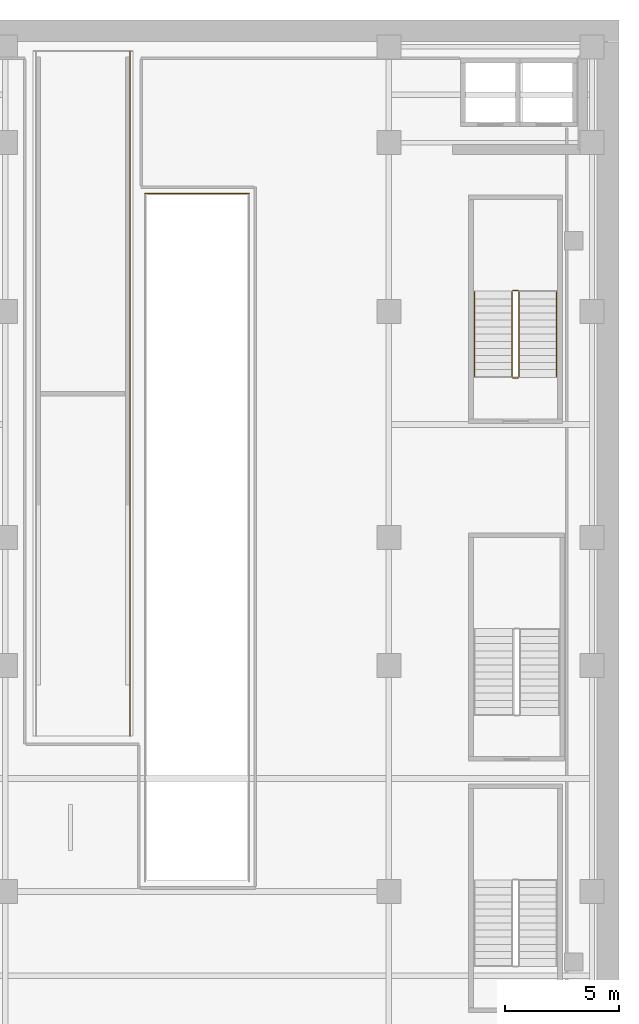
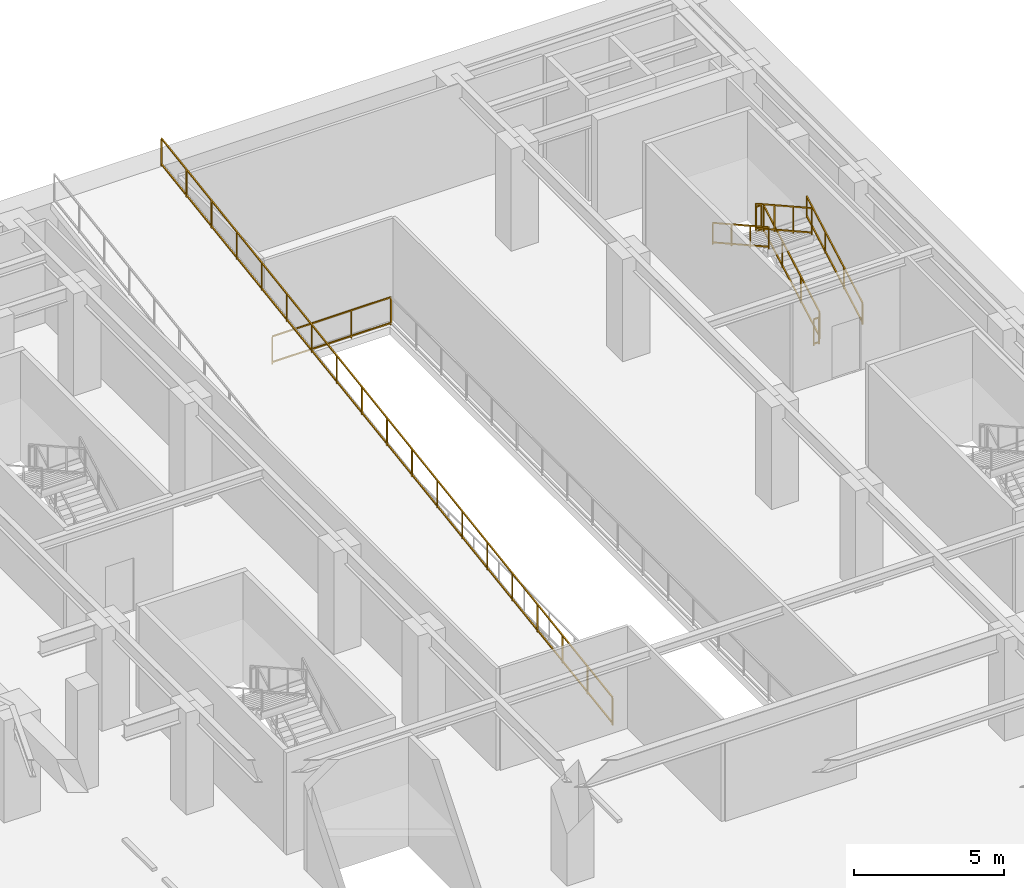
# One storey, part 16 of 16: 8 railings.
"""IFC4 building model written with IfcOpenShell, lengths in metres."""

from ifc_helpers import new_model, si_unit, direction, frame, origin, origin_2d, place, context, subcontext, project, spatial, rectangle, extrude, material, type_object, element, save


model = new_model("IFC4")

# Units and contexts
model_context = context("Model", 3, precision=1e-05, world=origin(), true_north=direction((0.0, 1.0)))
body_context = subcontext(model_context, "Body", "Model", "MODEL_VIEW")
ifc_project = project(units=[si_unit("LENGTHUNIT", "METRE"), si_unit("AREAUNIT", "SQUARE_METRE"), si_unit("VOLUMEUNIT", "CUBIC_METRE"), si_unit("PLANEANGLEUNIT", "RADIAN"), si_unit("MASSUNIT", "GRAM", prefix="KILO")], contexts=[model_context])

# Site, building, storey
site_placement = place(None, origin())
site = spatial("IfcSite", under=ifc_project, at=site_placement, CompositionType="ELEMENT")
building_placement = place(site_placement, origin())
building = spatial("IfcBuilding", under=site, at=building_placement, Name="Kolvaren Gate Tower and Convention Centre", CompositionType="ELEMENT")
storey_placement = place(building_placement, frame((0.0, 0.0, -4.5)))
storey = spatial("IfcBuildingStorey", under=building, at=storey_placement, Name="B1", CompositionType="ELEMENT", Elevation=-4.5)

# Railings
ifc_material = material(Name="Brushed Stainless Steel Grade 316L", Category="steel")
railing_type_1 = type_object("IfcRailingType", Name="ARCH-RL-GUARD-1150", PredefinedType="GUARDRAIL", material=ifc_material)
railing_1_placement = place(storey_placement, frame((94.10009765625, 36.85009765625, 0.173095703125)))
element("IfcRailing", 1, at=railing_1_placement, inside=storey, type_object=railing_type_1, Name="B1 ST-C3 stair guard 1", PredefinedType="GUARDRAIL", context=body_context, shape_type="SweptSolid", body=[
    extrude(rectangle(XDim=0.048095703125, YDim=0.048095703125, at=origin_2d()), frame((0.0, 0.0, 1.076171875), z_axis=(0.0, 0.873133609054, 0.487480974747), x_axis=(-1.0, 0.0, 0.0)), (0.0, 0.0, 1.0), 4.260498046875),
    extrude(rectangle(XDim=0.048095703125, YDim=0.048095703125, at=origin_2d()), frame((0.0, 0.0, 0.083984375), z_axis=(0.0, 0.873133609054, 0.487480974747), x_axis=(-1.0, 0.0, 0.0)), (0.0, 0.0, 1.0), 4.260498046875),
    extrude(rectangle(XDim=0.0419921875, YDim=0.0419921875, at=origin_2d()), origin(), (0.0, 0.0, 1.0), 1.050048828125),
    extrude(rectangle(XDim=0.0419921875, YDim=0.0419921875, at=origin_2d()), frame((0.0, 3.719970703125, 2.076904296875)), (0.0, 0.0, 1.0), 1.050048828125),
    extrude(rectangle(XDim=0.0419921875, YDim=0.0419921875, at=origin_2d()), frame((0.0, 1.239990234375, 0.6923828125)), (0.0, 0.0, 1.0), 1.050048828125),
    extrude(rectangle(XDim=0.0419921875, YDim=0.0419921875, at=origin_2d()), frame((0.0, 2.47998046875, 1.384521484375)), (0.0, 0.0, 1.0), 1.050048828125),
])
railing_2_placement = place(storey_placement, frame((94.050048828125, 40.6201171875, 2.25)))
element("IfcRailing", 2, at=railing_2_placement, inside=storey, type_object=railing_type_1, Name="B1 ST-C3 stair guard 2", PredefinedType="GUARDRAIL", context=body_context, shape_type="SweptSolid", body=[
    extrude(rectangle(XDim=0.048095703125, YDim=0.048095703125, at=origin_2d()), frame((0.0, 0.0, 1.076171875), z_axis=(-1.0, 0.0, 0.0), x_axis=(0.0, -1.0, 0.0)), (0.0, 0.0, 1.0), 0.199951171875),
    extrude(rectangle(XDim=0.048095703125, YDim=0.048095703125, at=origin_2d()), frame((0.0, 0.0, 0.083984375), z_axis=(-1.0, 0.0, 0.0), x_axis=(0.0, -1.0, 0.0)), (0.0, 0.0, 1.0), 0.199951171875),
    extrude(rectangle(XDim=0.0419921875, YDim=0.0419921875, at=origin_2d()), origin(), (0.0, 0.0, 1.0), 1.050048828125),
    extrude(rectangle(XDim=0.0419921875, YDim=0.0419921875, at=origin_2d()), frame((-0.199951171875, 0.0, 0.0)), (0.0, 0.0, 1.0), 1.050048828125),
])
railing_3_placement = place(storey_placement, frame((93.800048828125, 40.570068359375, 2.423095703125)))
element("IfcRailing", 3, at=railing_3_placement, inside=storey, type_object=railing_type_1, Name="B1 ST-C3 stair guard 3", PredefinedType="GUARDRAIL", context=body_context, shape_type="SweptSolid", body=[
    extrude(rectangle(XDim=0.048095703125, YDim=0.048095703125, at=origin_2d()), frame((0.0, 0.0, 1.076171875), z_axis=(0.0, -0.873133609054, 0.487480974747), x_axis=(1.0, 0.0, 0.0)), (0.0, 0.0, 1.0), 4.260498046875),
    extrude(rectangle(XDim=0.048095703125, YDim=0.048095703125, at=origin_2d()), frame((0.0, 0.0, 0.083984375), z_axis=(0.0, -0.873133609054, 0.487480974747), x_axis=(1.0, 0.0, 0.0)), (0.0, 0.0, 1.0), 4.260498046875),
    extrude(rectangle(XDim=0.0419921875, YDim=0.0419921875, at=origin_2d()), origin(), (0.0, 0.0, 1.0), 1.050048828125),
    extrude(rectangle(XDim=0.0419921875, YDim=0.0419921875, at=origin_2d()), frame((0.0, -3.719970703125, 2.076904296875)), (0.0, 0.0, 1.0), 1.050048828125),
    extrude(rectangle(XDim=0.0419921875, YDim=0.0419921875, at=origin_2d()), frame((0.0, -1.239990234375, 0.6923828125)), (0.0, 0.0, 1.0), 1.050048828125),
    extrude(rectangle(XDim=0.0419921875, YDim=0.0419921875, at=origin_2d()), frame((0.0, -2.47998046875, 1.384521484375)), (0.0, 0.0, 1.0), 1.050048828125),
])
railing_4_placement = place(storey_placement, frame((94.050048828125, 36.800048828125, 0.0)))
element("IfcRailing", 4, at=railing_4_placement, inside=storey, type_object=railing_type_1, Name="B1 ST-C3 stair guard 4", PredefinedType="GUARDRAIL", context=body_context, shape_type="SweptSolid", body=[
    extrude(rectangle(XDim=0.048095703125, YDim=0.048095703125, at=origin_2d()), frame((0.0, 0.0, 1.076171875), z_axis=(-1.0, 0.0, 0.0), x_axis=(0.0, -1.0, 0.0)), (0.0, 0.0, 1.0), 0.199951171875),
    extrude(rectangle(XDim=0.048095703125, YDim=0.048095703125, at=origin_2d()), frame((0.0, 0.0, 0.083984375), z_axis=(-1.0, 0.0, 0.0), x_axis=(0.0, -1.0, 0.0)), (0.0, 0.0, 1.0), 0.199951171875),
    extrude(rectangle(XDim=0.0419921875, YDim=0.0419921875, at=origin_2d()), origin(), (0.0, 0.0, 1.0), 1.050048828125),
    extrude(rectangle(XDim=0.0419921875, YDim=0.0419921875, at=origin_2d()), frame((-0.199951171875, 0.0, 0.0)), (0.0, 0.0, 1.0), 1.050048828125),
])
railing_5_placement = place(storey_placement, frame((77.06005859375, 21.10009765625, 0.0)))
element("IfcRailing", 5, at=railing_5_placement, inside=storey, type_object=railing_type_1, Name="Basement B1 to Ground Car Park Vehicle Ramp Slab R1 Pitched Perimeter Guardrail 2", PredefinedType="GUARDRAIL", context=body_context, shape_type="SweptSolid", body=[
    extrude(rectangle(XDim=0.048095703125, YDim=0.048095703125, at=origin_2d()), frame((0.0, 0.0, 1.1259765625), z_axis=(0.0, 0.988936352868, 0.14834045293), x_axis=(-1.0, 0.0, 0.0)), (0.0, 0.0, 1.0), 30.335693359375),
    extrude(rectangle(XDim=0.048095703125, YDim=0.048095703125, at=origin_2d()), frame((0.0, 0.0, 0.083984375), z_axis=(0.0, 0.988936352868, 0.14834045293), x_axis=(-1.0, 0.0, 0.0)), (0.0, 0.0, 1.0), 30.335693359375),
    extrude(rectangle(XDim=0.0419921875, YDim=0.0419921875, at=origin_2d()), origin(), (0.0, 0.0, 1.0), 1.099853515625),
    extrude(rectangle(XDim=0.0419921875, YDim=0.0419921875, at=origin_2d()), frame((0.0, 30.0, 4.5)), (0.0, 0.0, 1.0), 1.099853515625),
    extrude(rectangle(XDim=0.0419921875, YDim=0.0419921875, at=origin_2d()), frame((0.0, 1.666748046875, 0.25)), (0.0, 0.0, 1.0), 1.099853515625),
    extrude(rectangle(XDim=0.0419921875, YDim=0.0419921875, at=origin_2d()), frame((0.0, 3.333251953125, 0.5)), (0.0, 0.0, 1.0), 1.099853515625),
    extrude(rectangle(XDim=0.0419921875, YDim=0.0419921875, at=origin_2d()), frame((0.0, 5.0, 0.75)), (0.0, 0.0, 1.0), 1.099853515625),
    extrude(rectangle(XDim=0.0419921875, YDim=0.0419921875, at=origin_2d()), frame((0.0, 6.666748046875, 1.0)), (0.0, 0.0, 1.0), 1.099853515625),
    extrude(rectangle(XDim=0.0419921875, YDim=0.0419921875, at=origin_2d()), frame((0.0, 8.333251953125, 1.25)), (0.0, 0.0, 1.0), 1.099853515625),
    extrude(rectangle(XDim=0.0419921875, YDim=0.0419921875, at=origin_2d()), frame((0.0, 10.0, 1.5)), (0.0, 0.0, 1.0), 1.099853515625),
    extrude(rectangle(XDim=0.0419921875, YDim=0.0419921875, at=origin_2d()), frame((0.0, 11.666748046875, 1.75)), (0.0, 0.0, 1.0), 1.099853515625),
    extrude(rectangle(XDim=0.0419921875, YDim=0.0419921875, at=origin_2d()), frame((0.0, 13.333251953125, 2.0)), (0.0, 0.0, 1.0), 1.099853515625),
    extrude(rectangle(XDim=0.0419921875, YDim=0.0419921875, at=origin_2d()), frame((0.0, 15.0, 2.25)), (0.0, 0.0, 1.0), 1.099853515625),
    extrude(rectangle(XDim=0.0419921875, YDim=0.0419921875, at=origin_2d()), frame((0.0, 16.666748046875, 2.5)), (0.0, 0.0, 1.0), 1.099853515625),
    extrude(rectangle(XDim=0.0419921875, YDim=0.0419921875, at=origin_2d()), frame((0.0, 18.333251953125, 2.75)), (0.0, 0.0, 1.0), 1.099853515625),
    extrude(rectangle(XDim=0.0419921875, YDim=0.0419921875, at=origin_2d()), frame((0.0, 20.0, 3.0)), (0.0, 0.0, 1.0), 1.099853515625),
    extrude(rectangle(XDim=0.0419921875, YDim=0.0419921875, at=origin_2d()), frame((0.0, 21.666748046875, 3.25)), (0.0, 0.0, 1.0), 1.099853515625),
    extrude(rectangle(XDim=0.0419921875, YDim=0.0419921875, at=origin_2d()), frame((0.0, 23.333251953125, 3.5)), (0.0, 0.0, 1.0), 1.099853515625),
    extrude(rectangle(XDim=0.0419921875, YDim=0.0419921875, at=origin_2d()), frame((0.0, 25.0, 3.75)), (0.0, 0.0, 1.0), 1.099853515625),
    extrude(rectangle(XDim=0.0419921875, YDim=0.0419921875, at=origin_2d()), frame((0.0, 26.666748046875, 4.0)), (0.0, 0.0, 1.0), 1.099853515625),
    extrude(rectangle(XDim=0.0419921875, YDim=0.0419921875, at=origin_2d()), frame((0.0, 28.333251953125, 4.25)), (0.0, 0.0, 1.0), 1.099853515625),
])
railing_6_placement = place(storey_placement, frame((77.719970703125, 44.8798828125, 0.0)))
element("IfcRailing", 6, at=railing_6_placement, inside=storey, type_object=railing_type_1, Name="Basement B2 to B1 Car Park Vehicle Ramp Slab R2 Floor Opening Perimeter Guardrail 3", PredefinedType="GUARDRAIL", context=body_context, shape_type="SweptSolid", body=[
    extrude(rectangle(XDim=0.048095703125, YDim=0.048095703125, at=origin_2d()), frame((0.0, 0.0, 1.1259765625), z_axis=(1.0, 0.0, 0.0), x_axis=(0.0, 1.0, 0.0)), (0.0, 0.0, 1.0), 4.56005859375),
    extrude(rectangle(XDim=0.048095703125, YDim=0.048095703125, at=origin_2d()), frame((0.0, 0.0, 0.083984375), z_axis=(1.0, 0.0, 0.0), x_axis=(0.0, 1.0, 0.0)), (0.0, 0.0, 1.0), 4.56005859375),
    extrude(rectangle(XDim=0.0419921875, YDim=0.0419921875, at=origin_2d()), origin(), (0.0, 0.0, 1.0), 1.099853515625),
    extrude(rectangle(XDim=0.0419921875, YDim=0.0419921875, at=origin_2d()), frame((4.56005859375, 0.0, 0.0)), (0.0, 0.0, 1.0), 1.099853515625),
    extrude(rectangle(XDim=0.0419921875, YDim=0.0419921875, at=origin_2d()), frame((1.52001953125, 0.0, 0.0)), (0.0, 0.0, 1.0), 1.099853515625),
    extrude(rectangle(XDim=0.0419921875, YDim=0.0419921875, at=origin_2d()), frame((3.0400390625, 0.0, 0.0)), (0.0, 0.0, 1.0), 1.099853515625),
])
railing_type_2 = type_object("IfcRailingType", Name="ARCH-RL-HANDRAIL-920", PredefinedType="HANDRAIL", material=ifc_material)
railing_7_placement = place(storey_placement, frame((95.75, 36.85009765625, 0.173095703125)))
element("IfcRailing", 7, at=railing_7_placement, inside=storey, type_object=railing_type_2, Name="B1 ST-C3 stair handrail 1", PredefinedType="HANDRAIL", context=body_context, shape_type="SweptSolid", body=[
    extrude(rectangle(XDim=0.048095703125, YDim=0.048095703125, at=origin_2d()), frame((0.0, 0.0, 0.8759765625), z_axis=(0.0, 0.873133609054, 0.487480974747), x_axis=(-1.0, 0.0, 0.0)), (0.0, 0.0, 1.0), 4.260498046875),
    extrude(rectangle(XDim=0.048095703125, YDim=0.048095703125, at=origin_2d()), frame((0.0, 0.0, 0.083984375), z_axis=(0.0, 0.873133609054, 0.487480974747), x_axis=(-1.0, 0.0, 0.0)), (0.0, 0.0, 1.0), 4.260498046875),
    extrude(rectangle(XDim=0.0419921875, YDim=0.0419921875, at=origin_2d()), origin(), (0.0, 0.0, 1.0), 0.849853515625),
    extrude(rectangle(XDim=0.0419921875, YDim=0.0419921875, at=origin_2d()), frame((0.0, 3.719970703125, 2.076904296875)), (0.0, 0.0, 1.0), 0.849853515625),
    extrude(rectangle(XDim=0.0419921875, YDim=0.0419921875, at=origin_2d()), frame((0.0, 1.239990234375, 0.6923828125)), (0.0, 0.0, 1.0), 0.849853515625),
    extrude(rectangle(XDim=0.0419921875, YDim=0.0419921875, at=origin_2d()), frame((0.0, 2.47998046875, 1.384521484375)), (0.0, 0.0, 1.0), 0.849853515625),
])
railing_8_placement = place(storey_placement, frame((92.14990234375, 40.570068359375, 2.423095703125)))
element("IfcRailing", 8, at=railing_8_placement, inside=storey, type_object=railing_type_2, Name="B1 ST-C3 stair handrail 2", PredefinedType="HANDRAIL", context=body_context, shape_type="SweptSolid", body=[
    extrude(rectangle(XDim=0.048095703125, YDim=0.048095703125, at=origin_2d()), frame((0.0, 0.0, 0.8759765625), z_axis=(0.0, -0.873133609054, 0.487480974747), x_axis=(1.0, 0.0, 0.0)), (0.0, 0.0, 1.0), 4.260498046875),
    extrude(rectangle(XDim=0.048095703125, YDim=0.048095703125, at=origin_2d()), frame((0.0, 0.0, 0.083984375), z_axis=(0.0, -0.873133609054, 0.487480974747), x_axis=(1.0, 0.0, 0.0)), (0.0, 0.0, 1.0), 4.260498046875),
    extrude(rectangle(XDim=0.0419921875, YDim=0.0419921875, at=origin_2d()), origin(), (0.0, 0.0, 1.0), 0.849853515625),
    extrude(rectangle(XDim=0.0419921875, YDim=0.0419921875, at=origin_2d()), frame((0.0, -3.719970703125, 2.076904296875)), (0.0, 0.0, 1.0), 0.849853515625),
    extrude(rectangle(XDim=0.0419921875, YDim=0.0419921875, at=origin_2d()), frame((0.0, -1.239990234375, 0.6923828125)), (0.0, 0.0, 1.0), 0.849853515625),
    extrude(rectangle(XDim=0.0419921875, YDim=0.0419921875, at=origin_2d()), frame((0.0, -2.47998046875, 1.384521484375)), (0.0, 0.0, 1.0), 0.849853515625),
])

save(model, "model.ifc")
